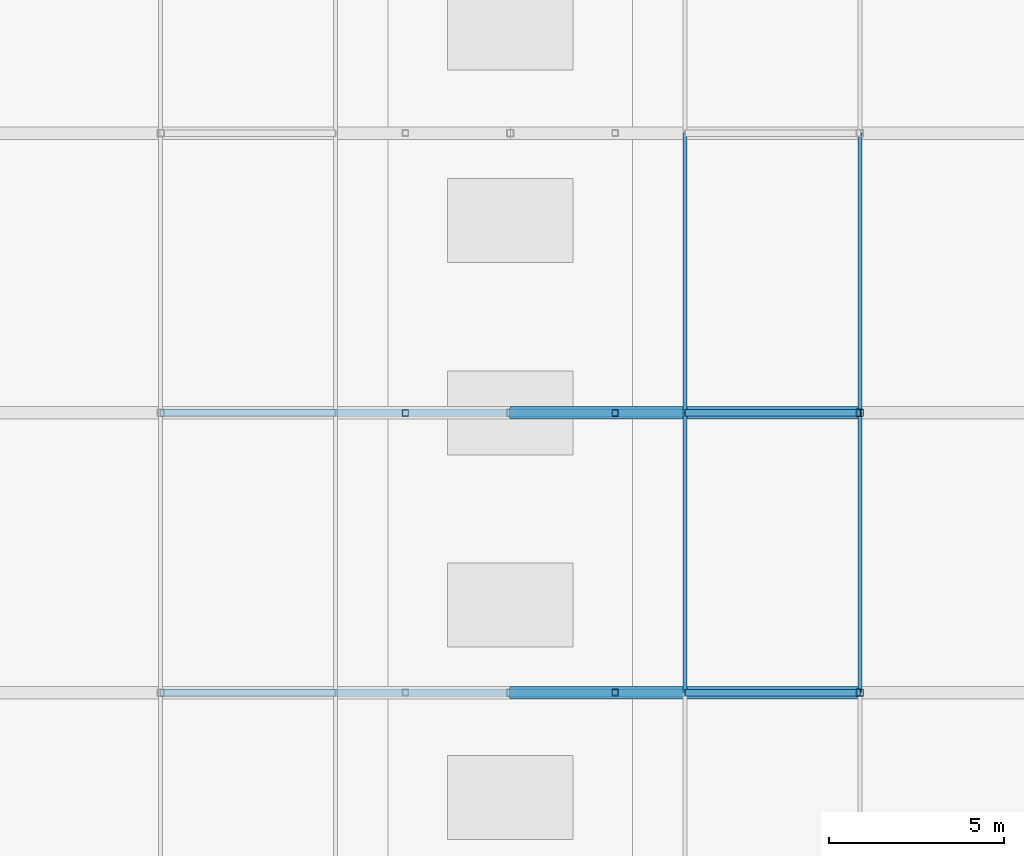
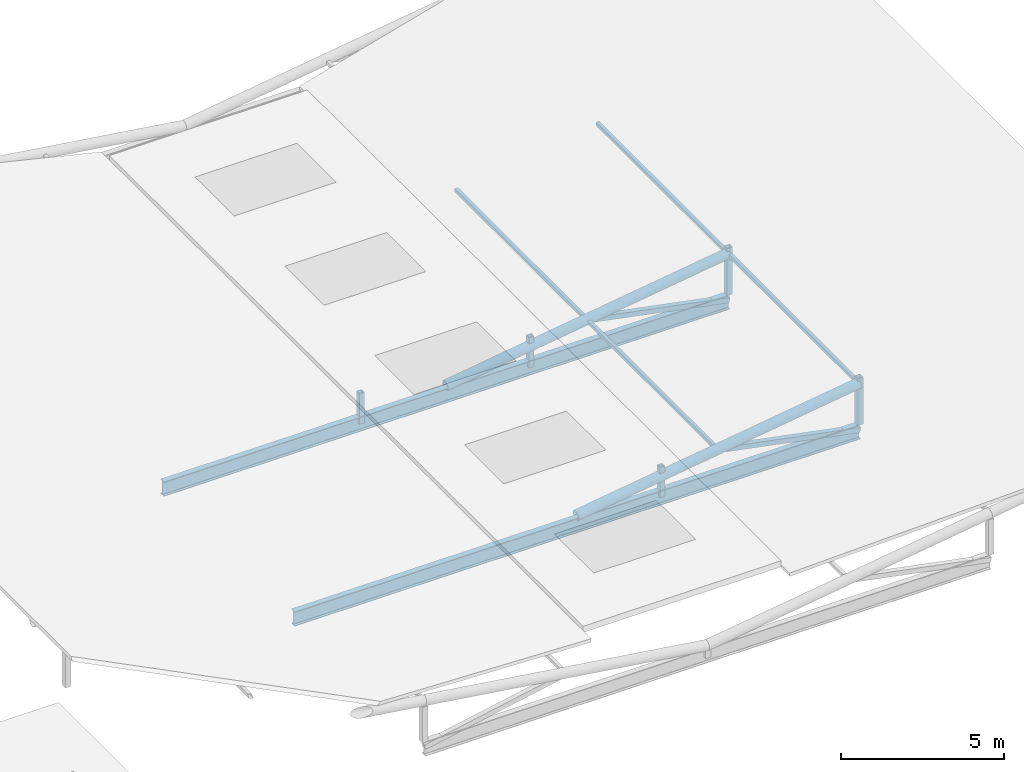
# One storey, part 19 of 84: 11 members, 4 beams.
"""IFC4 building model written with IfcOpenShell, lengths in metres."""

from ifc_helpers import new_model, si_unit, direction, frame, origin, origin_2d, place, context, subcontext, project, spatial, hollow_rectangle, hollow_circle, i_section, extrude, material, material_profile, profile_set, type_object, element, save


model = new_model("IFC4")

# Units and contexts
model_context = context("Model", 3, precision=1e-05, world=origin(), true_north=direction((0.0, 1.0)))
body_context = subcontext(model_context, "Body", "Model", "MODEL_VIEW")
ifc_project = project(units=[si_unit("LENGTHUNIT", "METRE"), si_unit("AREAUNIT", "SQUARE_METRE"), si_unit("VOLUMEUNIT", "CUBIC_METRE"), si_unit("PLANEANGLEUNIT", "RADIAN"), si_unit("MASSUNIT", "GRAM", prefix="KILO")], contexts=[model_context])

# Site, building, storey
site_placement = place(None, origin())
site = spatial("IfcSite", under=ifc_project, at=site_placement, CompositionType="ELEMENT")
building_placement = place(site_placement, origin())
building = spatial("IfcBuilding", under=site, at=building_placement, Name="Tenunan Teduh Sports Hall", CompositionType="ELEMENT")
storey_placement = place(building_placement, frame((0.0, 0.0, 10.800048828125)))
storey = spatial("IfcBuildingStorey", under=building, at=storey_placement, Name="L02", CompositionType="ELEMENT", Elevation=10.800048828125)

# Beams
ifc_material_1 = material(Name="Steel S355", Category="steel")
ifc_material_profile_1 = material_profile(ifc_material_1, hollow_circle(Radius=0.177734375, WallThickness=0.012451171875, at=origin_2d()), Name="CHS 355.6x12.5")
ifc_profile_set_1 = profile_set([ifc_material_profile_1], Name="Steel S355")
beam_type_1 = type_object("IfcBeamType", Name="GSB-CHS356", PredefinedType="BEAM", material=ifc_profile_set_1)
for number, where, z_axis, x_axis, name in (
    (1, (88.0, 46.0, -0.0400390625), (0.98972987631, 0.0, 0.142950242877), (0.0, 1.0, 0.0), "Gridshell Vault Arch BM-GR-04-L02-0501"),
    (2, (88.0, 54.0, -0.0400390625), (0.98972987631, 0.0, 0.142950242877), (0.0, 1.0, 0.0), "Gridshell Vault Arch BM-GR-04-L02-0506"),
):
    element("IfcBeam", number, at=place(storey_placement, frame(where, z_axis=z_axis, x_axis=x_axis)), inside=storey, type_object=beam_type_1, Name=name, PredefinedType="BEAM", context=body_context, shape_type="SweptSolid", body=[
        extrude(hollow_circle(Radius=0.177734375, WallThickness=0.012451171875, at=origin_2d()), origin(), (0.0, 0.0, 1.0), 10.103759765625),
    ])

# Members
ifc_material_2 = material(Name="Steel S355", Category="steel")
ifc_material_profile_2 = material_profile(ifc_material_2, hollow_rectangle(XDim=0.1201171875, YDim=0.1201171875, WallThickness=0.00634765625, at=origin_2d()), Name="SHS 120x120x6.3")
ifc_profile_set_2 = profile_set([ifc_material_profile_2], Name="Steel S355")
member_type_1 = type_object("IfcMemberType", Name="MEM-PR-SHS120", PredefinedType="PURLIN", material=ifc_profile_set_2)
for number, where, z_axis, x_axis, name in (
    (3, (93.0, 46.0, 0.68212890625), (0.0, 1.0, 0.0), (-1.0, 0.0, 0.0), "MEM-PR-02-L02-0919"),
    (4, (93.0, 54.0, 0.68212890625), (0.0, 1.0, 0.0), (-1.0, 0.0, 0.0), "MEM-PR-02-L02-0920"),
    (5, (98.0, 46.0, 1.404296875), (0.0, 1.0, 0.0), (-1.0, 0.0, 0.0), "MEM-PR-02-L02-0923"),
    (6, (98.0, 54.0, 1.404296875), (0.0, 1.0, 0.0), (-1.0, 0.0, 0.0), "MEM-PR-02-L02-0924"),
):
    element("IfcMember", number, at=place(storey_placement, frame(where, z_axis=z_axis, x_axis=x_axis)), inside=storey, type_object=member_type_1, Name=name, PredefinedType="PURLIN", context=body_context, shape_type="SweptSolid", body=[
        extrude(hollow_rectangle(XDim=0.1201171875, YDim=0.1201171875, WallThickness=0.00634765625, at=origin_2d()), origin(), (0.0, 0.0, 1.0), 8.0),
    ])
ifc_material_3 = material(Name="Steel S355", Category="steel")
ifc_material_profile_3 = material_profile(ifc_material_3, hollow_rectangle(XDim=0.179931640625, YDim=0.179931640625, WallThickness=0.010009765625, at=origin_2d()), Name="SHS 180x180x10.0")
ifc_profile_set_3 = profile_set([ifc_material_profile_3], Name="Steel S355")
member_type_2 = type_object("IfcMemberType", Name="MEM-ST-SHS180", PredefinedType="STRUT", material=ifc_profile_set_3)
member_1_placement = place(storey_placement, frame((91.0, 46.0, -0.360107421875), z_axis=(0.0, 0.0, 1.0), x_axis=(1.0, 0.0, 0.0)))
element("IfcMember", 7, at=member_1_placement, inside=storey, type_object=member_type_2, Name="MEM-VS-03-L02-0869", PredefinedType="STRUT", context=body_context, shape_type="SweptSolid", body=[
    extrude(hollow_rectangle(XDim=0.179931640625, YDim=0.179931640625, WallThickness=0.010009765625, at=origin_2d()), origin(), (0.0, 0.0, 1.0), 1.14013671875),
])
member_2_placement = place(storey_placement, frame((98.0, 46.0, -0.300048828125), z_axis=(-0.981247525965, 0.0, 0.192751894383), x_axis=(0.0, -1.0, 0.0)))
element("IfcMember", 8, at=member_2_placement, inside=storey, type_object=member_type_2, Name="MEM-VS-03-L02-0874", PredefinedType="STRUT", context=body_context, shape_type="SweptSolid", body=[
    extrude(hollow_rectangle(XDim=0.179931640625, YDim=0.179931640625, WallThickness=0.010009765625, at=origin_2d()), origin(), (0.0, 0.0, 1.0), 5.095458984375),
])
for number, where, z_axis, x_axis, name in (
    (9, (85.0, 54.0, -0.360107421875), (0.0, 0.0, 1.0), (1.0, 0.0, 0.0), "MEM-VS-03-L02-0879"),
    (10, (91.0, 54.0, -0.360107421875), (0.0, 0.0, 1.0), (1.0, 0.0, 0.0), "MEM-VS-03-L02-0880"),
):
    element("IfcMember", number, at=place(storey_placement, frame(where, z_axis=z_axis, x_axis=x_axis)), inside=storey, type_object=member_type_2, Name=name, PredefinedType="STRUT", context=body_context, shape_type="SweptSolid", body=[
        extrude(hollow_rectangle(XDim=0.179931640625, YDim=0.179931640625, WallThickness=0.010009765625, at=origin_2d()), origin(), (0.0, 0.0, 1.0), 1.14013671875),
    ])
member_3_placement = place(storey_placement, frame((98.0, 54.0, -0.300048828125), z_axis=(-0.981247525965, 0.0, 0.192751894383), x_axis=(0.0, -1.0, 0.0)))
element("IfcMember", 11, at=member_3_placement, inside=storey, type_object=member_type_2, Name="MEM-VS-03-L02-0885", PredefinedType="STRUT", context=body_context, shape_type="SweptSolid", body=[
    extrude(hollow_rectangle(XDim=0.179931640625, YDim=0.179931640625, WallThickness=0.010009765625, at=origin_2d()), origin(), (0.0, 0.0, 1.0), 5.095458984375),
])
ifc_material_4 = material(Name="Steel S355", Category="steel")
ifc_material_profile_4 = material_profile(ifc_material_4, hollow_rectangle(XDim=0.199951171875, YDim=0.199951171875, WallThickness=0.010009765625, at=origin_2d()), Name="SHS 200x200x10.0")
ifc_profile_set_4 = profile_set([ifc_material_profile_4], Name="Steel S355")
member_type_3 = type_object("IfcMemberType", Name="MEM-ST-SHS200", PredefinedType="STRUT", material=ifc_profile_set_4)
for number, where, z_axis, x_axis, name in (
    (12, (98.0, 46.0, -0.10009765625), (0.0, 0.0, 1.0), (1.0, 0.0, 0.0), "MEM-VS-02-L02-0866"),
    (13, (98.0, 54.0, -0.10009765625), (0.0, 0.0, 1.0), (1.0, 0.0, 0.0), "MEM-VS-02-L02-0877"),
):
    element("IfcMember", number, at=place(storey_placement, frame(where, z_axis=z_axis, x_axis=x_axis)), inside=storey, type_object=member_type_3, Name=name, PredefinedType="STRUT", context=body_context, shape_type="SweptSolid", body=[
        extrude(hollow_rectangle(XDim=0.199951171875, YDim=0.199951171875, WallThickness=0.010009765625, at=origin_2d()), origin(), (0.0, 0.0, 1.0), 1.75439453125),
    ])

# Beams
ifc_material_5 = material(Name="Steel S355", Category="steel")
ifc_material_profile_5 = material_profile(ifc_material_5, i_section(OverallWidth=0.2099609375, OverallDepth=0.53662109375, WebThickness=0.0107421875, FlangeThickness=0.017333984375, FilletRadius=0.0126953125, at=origin_2d()), Name="UKB 533x210x101")
ifc_profile_set_5 = profile_set([ifc_material_profile_5], Name="Steel S355")
beam_type_2 = type_object("IfcBeamType", Name="SBM-UKB533", PredefinedType="BEAM", material=ifc_profile_set_5)
for number, where, z_axis, x_axis, name in (
    (14, (78.0, 46.0, -0.360107421875), (1.0, 0.0, 0.0), (0.0, 1.0, 0.0), "BM-SB-05-L02-0498"),
    (15, (78.0, 54.0, -0.360107421875), (1.0, 0.0, 0.0), (0.0, 1.0, 0.0), "BM-SB-05-L02-0503"),
):
    element("IfcBeam", number, at=place(storey_placement, frame(where, z_axis=z_axis, x_axis=x_axis)), inside=storey, type_object=beam_type_2, Name=name, PredefinedType="BEAM", context=body_context, shape_type="SweptSolid", body=[
        extrude(i_section(OverallWidth=0.2099609375, OverallDepth=0.53662109375, WebThickness=0.0107421875, FlangeThickness=0.017333984375, FilletRadius=0.0126953125, at=origin_2d()), origin(), (0.0, 0.0, 1.0), 20.0),
    ])

save(model, "model.ifc")
